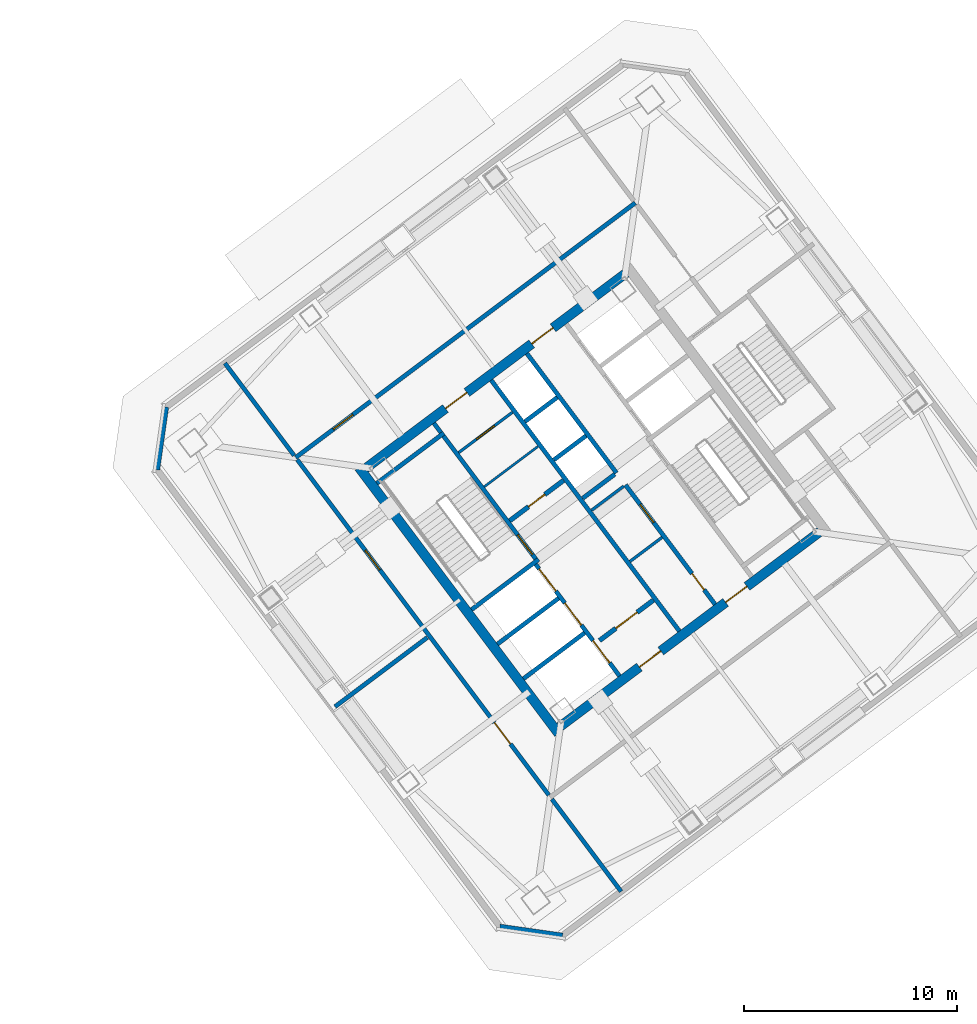
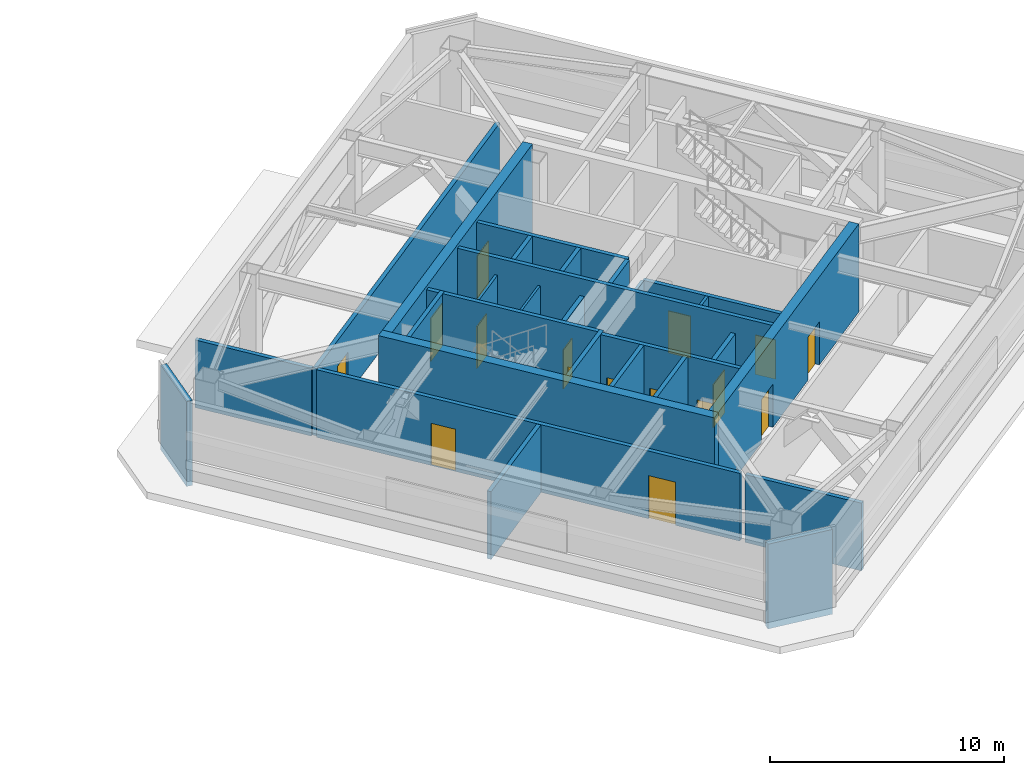
# One storey, part 7 of 15: 28 walls, 16 doors, 16 openings.
"""IFC4 building model written with IfcOpenShell, lengths in metres."""

import ifcopenshell
import ifcopenshell.guid

model = None  # the IFC model being written
_history = None  # IfcOwnerHistory: only IFC2X3 demands one
_inside = {}  # id of a spatial element -> (the spatial element, [elements in it])
_under = {}  # id of a project, library or spatial element -> (it, [spatial elements below it])
_declared = {}  # id of a project -> (the project, [libraries it declares])
_typed = {}  # id of a type object -> (the type object, [elements of that type])
_made_of = {}  # id of a material, layer set ... -> (it, [elements and type objects made of it])


def new_model(schema):
    """Start an empty IFC model of exactly this schema.

    Asked for "IFC4X3", IfcOpenShell would pick the latest addendum, in which some entities
    have other attributes; the version numbers below select the first issue.
    IFC2X3 requires an IfcOwnerHistory on every rooted entity: one is made here for all.
    """
    global model, _history
    if schema == "IFC4X3":
        model = ifcopenshell.file(schema_version=(4, 3, 0, 0))
    else:
        model = ifcopenshell.file(schema=schema)
    _inside.clear()
    _under.clear()
    _declared.clear()
    _typed.clear()
    _made_of.clear()
    _history = None
    if model.schema == "IFC2X3":
        org = make("IfcOrganization", Name="unknown")
        user = make(
            "IfcPersonAndOrganization",
            ThePerson=make("IfcPerson", FamilyName="unknown"),
            TheOrganization=org,
        )
        app = make(
            "IfcApplication",
            ApplicationDeveloper=org,
            Version="unknown",
            ApplicationFullName="unknown",
            ApplicationIdentifier="unknown",
        )
        _history = make(
            "IfcOwnerHistory",
            OwningUser=user,
            OwningApplication=app,
            ChangeAction="ADDED",
            CreationDate=0,
        )
    return model


def make(cls, **values):
    """One entity of the class cls with the attributes given. An attribute that is None is left unset."""
    return model.create_entity(
        cls, **{name: value for name, value in values.items() if value is not None}
    )


def rooted(cls, **values):
    """An entity with a GlobalId (a new one), such as an element, a storey or a relation."""
    return make(cls, GlobalId=ifcopenshell.guid.new(), OwnerHistory=_history, **values)


def si_unit(unit_type, name, prefix=None):
    """IfcSIUnit, for example si_unit("LENGTHUNIT", "METRE", prefix="MILLI")."""
    return make("IfcSIUnit", UnitType=unit_type, Prefix=prefix, Name=name)


def assignment(units):
    """IfcUnitAssignment: the units of a project."""
    return None if units is None else make("IfcUnitAssignment", Units=units)


def point(xyz):
    """IfcCartesianPoint."""
    return None if xyz is None else make("IfcCartesianPoint", Coordinates=xyz)


def direction(xyz):
    """IfcDirection."""
    return None if xyz is None else make("IfcDirection", DirectionRatios=xyz)


def frame(location, z_axis=None, x_axis=None):
    """IfcAxis2Placement3D, a coordinate frame: its origin and axes. An axis left out is left unset."""
    return make(
        "IfcAxis2Placement3D",
        Location=point(location),
        Axis=direction(z_axis),
        RefDirection=direction(x_axis),
    )


def frame_2d(location, x_axis=None):
    """IfcAxis2Placement2D, a coordinate frame in the plane: its origin and x axis."""
    return make(
        "IfcAxis2Placement2D", Location=point(location), RefDirection=direction(x_axis)
    )


def origin():
    """The frame at (0, 0, 0) with its axes left unset."""
    return frame((0.0, 0.0, 0.0))


def place(relative_to, where):
    """IfcLocalPlacement: puts the frame where relative to a parent placement (None: the world)."""
    return make(
        "IfcLocalPlacement", PlacementRelTo=relative_to, RelativePlacement=where
    )


def context(
    kind, dimensions, precision=None, world=None, true_north=None, identifier=None
):
    """IfcGeometricRepresentationContext, for example the 3D "Model" context."""
    return make(
        "IfcGeometricRepresentationContext",
        ContextIdentifier=identifier,
        ContextType=kind,
        CoordinateSpaceDimension=dimensions,
        Precision=precision,
        WorldCoordinateSystem=world,
        TrueNorth=true_north,
    )


def subcontext(parent, identifier, kind, view, scale=None):
    """IfcGeometricRepresentationSubContext, for example "Body" below "Model"."""
    return make(
        "IfcGeometricRepresentationSubContext",
        ContextIdentifier=identifier,
        ContextType=kind,
        ParentContext=parent,
        TargetScale=scale,
        TargetView=view,
    )


def project(units=None, contexts=None):
    """IfcProject with its units and contexts."""
    return rooted(
        "IfcProject",
        Name="project",
        RepresentationContexts=contexts,
        UnitsInContext=assignment(units),
    )


def spatial(cls, under=None, at=None, **own):
    """A site, building, storey or space (cls), placed at a placement, below another one or the project."""
    s = rooted(cls, ObjectPlacement=at, **own)
    if under is not None:
        _under.setdefault(under.id(), (under, []))[1].append(s)
    return s


def profile(cls, at=None, kind="AREA", **sizes):
    """A parametric profile (cls). Its sizes go by their IFC names, for example OverallWidth=200.0."""
    return make(cls, ProfileType=kind, Position=at, **sizes)


def rectangle(**sizes):
    """IfcRectangleProfileDef."""
    return profile("IfcRectangleProfileDef", **sizes)


def extrude(swept, where, along, depth):
    """IfcExtrudedAreaSolid: the profile swept, set in the frame where, extruded along a direction by depth."""
    return make(
        "IfcExtrudedAreaSolid",
        SweptArea=swept,
        Position=where,
        ExtrudedDirection=direction(along),
        Depth=depth,
    )


def shape(context_of_items, identifier, shape_type, items):
    """IfcShapeRepresentation: the items that make up one representation, for example the "Body"."""
    return make(
        "IfcShapeRepresentation",
        ContextOfItems=context_of_items,
        RepresentationIdentifier=identifier,
        RepresentationType=shape_type,
        Items=items,
    )


def material(Name=None, Category=None):
    """IfcMaterial."""
    return make("IfcMaterial", Name=Name, Category=Category)


def layer(
    of_material, thickness, ventilated=None, Name=None, Category=None, Priority=None
):
    """IfcMaterialLayer: one layer of a wall or slab, of a material (None: an air gap)."""
    return make(
        "IfcMaterialLayer",
        Material=of_material,
        LayerThickness=thickness,
        IsVentilated=ventilated,
        Name=Name,
        Category=Category,
        Priority=Priority,
    )


def layer_set(layers, Name=None):
    """IfcMaterialLayerSet."""
    return make("IfcMaterialLayerSet", MaterialLayers=layers, LayerSetName=Name)


def made_of(thing, what):
    """Note that an element or type object is made of a material, layer set ...; save() writes the relation."""
    if what is not None:
        _made_of.setdefault(what.id(), (what, []))[1].append(thing)
    return thing


def type_object(cls, material=None, **own):
    """A type object (cls), such as IfcWallType, which elements share."""
    return made_of(rooted(cls, **own), material)


def element(
    cls,
    number,
    at=None,
    inside=None,
    cuts=None,
    type_object=None,
    material=None,
    context=None,
    identifier="Body",
    shape_type=None,
    held_by="IfcProductDefinitionShape",
    body=None,
    shapes=None,
    **own,
):
    """One element of the class cls, such as IfcWall. Its Tag is "e" and its number.

    at: its placement. inside: the storey or other place that contains it. cuts: it is an
    opening in that element (IfcRelVoidsElement). A single representation is given by context,
    identifier, shape_type and body (its items); several are given by shapes. held_by: the class
    of the entity that holds the representations. save() writes the other relations.
    """
    e = rooted(cls, Tag="e%d" % number, ObjectPlacement=at, **own)
    if body is not None:
        shapes = [shape(context, identifier, shape_type, body)]
    if shapes is not None:
        e.Representation = make(held_by, Representations=shapes)
    if inside is not None:
        _inside.setdefault(inside.id(), (inside, []))[1].append(e)
    if cuts is not None:
        rooted(
            "IfcRelVoidsElement", RelatingBuildingElement=cuts, RelatedOpeningElement=e
        )
    if type_object is not None:
        _typed.setdefault(type_object.id(), (type_object, []))[1].append(e)
    return made_of(e, material)


def fill(opening, filler):
    """IfcRelFillsElement: the door or window that sits in an opening."""
    return rooted(
        "IfcRelFillsElement",
        RelatingOpeningElement=opening,
        RelatedBuildingElement=filler,
    )


def aggregate(whole, parts):
    """IfcRelAggregates: a whole, such as a stair, and the parts it consists of."""
    return rooted("IfcRelAggregates", RelatingObject=whole, RelatedObjects=parts)


def save(model, path):
    """Write the relations noted so far, then the file.

    IfcRelAggregates (storeys below a building ...), IfcRelContainedInSpatialStructure (elements
    in a storey), IfcRelDefinesByType, IfcRelAssociatesMaterial and IfcRelDeclares: one each for
    every whole, place, type object, material and project.
    """
    for whole, parts in _under.values():
        aggregate(whole, parts)
    for where, things in _inside.values():
        rooted(
            "IfcRelContainedInSpatialStructure",
            RelatedElements=things,
            RelatingStructure=where,
        )
    for kind, things in _typed.values():
        rooted("IfcRelDefinesByType", RelatedObjects=things, RelatingType=kind)
    for what, things in _made_of.values():
        rooted("IfcRelAssociatesMaterial", RelatedObjects=things, RelatingMaterial=what)
    for by, libraries in _declared.values():
        rooted("IfcRelDeclares", RelatingContext=by, RelatedDefinitions=libraries)
    model.write(path)


model = new_model("IFC4")

# Units and contexts
model_context = context("Model", 3, precision=1e-05, world=origin(), true_north=direction((0.0, 1.0)))
body_context = subcontext(model_context, "Body", "Model", "MODEL_VIEW")
ifc_project = project(units=[si_unit("LENGTHUNIT", "METRE"), si_unit("AREAUNIT", "SQUARE_METRE"), si_unit("VOLUMEUNIT", "CUBIC_METRE"), si_unit("PLANEANGLEUNIT", "RADIAN"), si_unit("MASSUNIT", "GRAM", prefix="KILO")], contexts=[model_context])

# Site, building, storey
site_placement = place(None, origin())
site = spatial("IfcSite", under=ifc_project, at=site_placement, CompositionType="ELEMENT")
building_placement = place(site_placement, origin())
building = spatial("IfcBuilding", under=site, at=building_placement, Name="Tashvorn Skyway Center", CompositionType="ELEMENT")
storey_placement = place(building_placement, frame((0.0, 0.0, 199.60009765625)))
storey = spatial("IfcBuildingStorey", under=building, at=storey_placement, Name="L54", CompositionType="ELEMENT", Elevation=199.60009765625)

# Wall
ifc_material_1 = material(Name="Concrete C50/60", Category="concrete")
ifc_layer_1 = layer(ifc_material_1, 0.449951171875)
ifc_layer_set_1 = layer_set([ifc_layer_1], Name="Concrete C50/60")
wall_type_1 = type_object("IfcWallType", Name="WALL-CORE-450", PredefinedType="SHEAR", material=ifc_layer_set_1)
wall_1_placement = place(storey_placement, frame((112.39599609375, 21.047119140625, 0.0), z_axis=(0.0, 0.0, 1.0), x_axis=(-0.600005007985, 0.799996243986, 0.0)))
element("IfcWall", 1, at=wall_1_placement, inside=storey, type_object=wall_type_1, Name="Tower 2 L54 West Core Shear Wall", PredefinedType="SHEAR", context=body_context, shape_type="SweptSolid", body=[
    extrude(rectangle(XDim=15.60009765625, YDim=0.449951171875, at=frame_2d((7.800048828125, 0.0))), origin(), (0.0, 0.0, 1.0), 4.599853515625),
])

# Wall, openings, doors
wall_2_placement = place(storey_placement, frame((124.64892578125, 30.51806640625, 0.0), z_axis=(0.0, 0.0, 1.0), x_axis=(-0.8, -0.6, 0.0)))
wall_2 = element("IfcWall", 2, at=wall_2_placement, inside=storey, type_object=wall_type_1, Name="Tower 2 L54 South Core Shear Wall", PredefinedType="SHEAR", context=body_context, shape_type="SweptSolid", body=[
    extrude(rectangle(XDim=15.260009765625, YDim=0.449951171875, at=frame_2d((7.6298828125, 0.0))), origin(), (0.0, 0.0, 1.0), 4.599853515625),
])
opening_1_placement = place(wall_2_placement, frame((9.330078125, 0.0, 0.0)))
opening_1 = element("IfcOpeningElement", 3, at=opening_1_placement, cuts=wall_2, Name="Opening D-FFL-1250", PredefinedType="OPENING", context=body_context, shape_type="SweptSolid", body=[
    extrude(rectangle(XDim=1.25, YDim=2.25, at=frame_2d((0.625, 1.125))), frame((0.0, 0.23486328125, 0.0), z_axis=(0.0, -1.0, 0.0), x_axis=(1.0, 0.0, 0.0)), (0.0, 0.0, 1.0), 0.469970703125),
])
opening_2_placement = place(wall_2_placement, frame((4.280029296875, 0.0, 0.0)))
opening_2 = element("IfcOpeningElement", 4, at=opening_2_placement, cuts=wall_2, Name="Opening D-FFL-1250", PredefinedType="OPENING", context=body_context, shape_type="SweptSolid", body=[
    extrude(rectangle(XDim=1.25, YDim=2.25, at=frame_2d((0.625, 1.125))), frame((0.0, 0.23486328125, 0.0), z_axis=(0.0, -1.0, 0.0), x_axis=(1.0, 0.0, 0.0)), (0.0, 0.0, 1.0), 0.469970703125),
])
ifc_material_2 = material(Name="Hollow galvanized steel fire door assembly", Category="steel")
door_type_1 = type_object("IfcDoorType", Name="DOOR-FFL-1250", OperationType="NOTDEFINED", PredefinedType="DOOR", material=ifc_material_2)
door_1_placement = place(opening_1_placement, origin())
door_1 = element("IfcDoor", 5, at=door_1_placement, inside=storey, type_object=door_type_1, Name="Tower 2 L54 Core South Firefighting Exit Door", OperationType="SINGLE_SWING_LEFT", OverallHeight=2.25, OverallWidth=1.25, PredefinedType="DOOR", context=body_context, shape_type="SweptSolid", body=[
    extrude(rectangle(XDim=1.25, YDim=2.25, at=frame_2d((0.625, 1.125))), frame((0.0, 0.02490234375, 0.0), z_axis=(0.0, -1.0, 0.0), x_axis=(1.0, 0.0, 0.0)), (0.0, 0.0, 1.0), 0.050048828125),
])
fill(opening_1, door_1)
door_2_placement = place(opening_2_placement, origin())
door_2 = element("IfcDoor", 6, at=door_2_placement, inside=storey, type_object=door_type_1, Name="Tower 2 L54 Core South Lift Lobby Door", OperationType="SINGLE_SWING_RIGHT", OverallHeight=2.25, OverallWidth=1.25, PredefinedType="DOOR", context=body_context, shape_type="SweptSolid", body=[
    extrude(rectangle(XDim=1.25, YDim=2.25, at=frame_2d((0.625, 1.125))), frame((0.0, 0.02490234375, 0.0), z_axis=(0.0, -1.0, 0.0), x_axis=(1.0, 0.0, 0.0)), (0.0, 0.0, 1.0), 0.050048828125),
])
fill(opening_2, door_2)

wall_3_placement = place(storey_placement, frame((103.35107421875, 33.48193359375, 0.0), z_axis=(0.0, 0.0, 1.0), x_axis=(0.8, 0.6, 0.0)))
wall_3 = element("IfcWall", 7, at=wall_3_placement, inside=storey, type_object=wall_type_1, Name="Tower 2 L54 North Core Shear Wall", PredefinedType="SHEAR", context=body_context, shape_type="SweptSolid", body=[
    extrude(rectangle(XDim=15.260009765625, YDim=0.449951171875, at=frame_2d((7.6298828125, 0.0))), origin(), (0.0, 0.0, 1.0), 4.599853515625),
])
opening_3_placement = place(wall_3_placement, frame((4.679931640625, 0.0, 0.0)))
opening_3 = element("IfcOpeningElement", 8, at=opening_3_placement, cuts=wall_3, Name="Opening D-FFL-1250", PredefinedType="OPENING", context=body_context, shape_type="SweptSolid", body=[
    extrude(rectangle(XDim=1.25, YDim=2.25, at=frame_2d((0.625, 1.125))), frame((0.0, 0.23486328125, 0.0), z_axis=(0.0, -1.0, 0.0), x_axis=(1.0, 0.0, 0.0)), (0.0, 0.0, 1.0), 0.469970703125),
])
opening_4_placement = place(wall_3_placement, frame((9.72998046875, 0.0, 0.0)))
opening_4 = element("IfcOpeningElement", 9, at=opening_4_placement, cuts=wall_3, Name="Opening D-FFL-1250", PredefinedType="OPENING", context=body_context, shape_type="SweptSolid", body=[
    extrude(rectangle(XDim=1.25, YDim=2.25, at=frame_2d((0.625, 1.125))), frame((0.0, 0.23486328125, 0.0), z_axis=(0.0, -1.0, 0.0), x_axis=(1.0, 0.0, 0.0)), (0.0, 0.0, 1.0), 0.469970703125),
])
door_3_placement = place(opening_3_placement, origin())
door_3 = element("IfcDoor", 10, at=door_3_placement, inside=storey, type_object=door_type_1, Name="Tower 2 L54 Core North Service Lobby Door", OperationType="SINGLE_SWING_LEFT", OverallHeight=2.25, OverallWidth=1.25, PredefinedType="DOOR", context=body_context, shape_type="SweptSolid", body=[
    extrude(rectangle(XDim=1.25, YDim=2.25, at=frame_2d((0.625, 1.125))), frame((0.0, 0.02490234375, 0.0), z_axis=(0.0, -1.0, 0.0), x_axis=(1.0, 0.0, 0.0)), (0.0, 0.0, 1.0), 0.050048828125),
])
fill(opening_3, door_3)
door_4_placement = place(opening_4_placement, origin())
door_4 = element("IfcDoor", 11, at=door_4_placement, inside=storey, type_object=door_type_1, Name="Tower 2 L54 Core North Lift Lobby Door", OperationType="SINGLE_SWING_RIGHT", OverallHeight=2.25, OverallWidth=1.25, PredefinedType="DOOR", context=body_context, shape_type="SweptSolid", body=[
    extrude(rectangle(XDim=1.25, YDim=2.25, at=frame_2d((0.625, 1.125))), frame((0.0, 0.02490234375, 0.0), z_axis=(0.0, -1.0, 0.0), x_axis=(1.0, 0.0, 0.0)), (0.0, 0.0, 1.0), 0.050048828125),
])
fill(opening_4, door_4)

# Walls
ifc_material_3 = material(Name="Precast concrete C40/50", Category="concrete")
ifc_layer_2 = layer(ifc_material_3, 0.280029296875)
ifc_layer_set_2 = layer_set([ifc_layer_2], Name="Precast concrete C40/50")
wall_type_2 = type_object("IfcWallType", Name="WALL-EXT-280", PredefinedType="SOLIDWALL", material=ifc_layer_set_2)
for number, where, z_axis, x_axis, name in (
    (12, (112.580078125, 11.56005859375, 0.0), (0.0, 0.0, 1.0), (-0.989954425158, 0.14138683146, 0.0), "Tower 2 L54 SW Precast Chamfer Wall"),
    (13, (93.56005859375, 33.419921875, 0.0), (0.0, 0.0, 1.0), (0.14138683146, 0.989954425158, 0.0), "Tower 2 L54 NW Precast Chamfer Wall"),
):
    element("IfcWall", number, at=place(storey_placement, frame(where, z_axis=z_axis, x_axis=x_axis)), inside=storey, type_object=wall_type_2, Name=name, PredefinedType="SOLIDWALL", context=body_context, shape_type="SweptSolid", body=[
        extrude(rectangle(XDim=2.969970703125, YDim=0.280029296875, at=frame_2d((1.48486328125, 0.0))), origin(), (0.0, 0.0, 1.0), 4.419921875),
    ])

# Wall, opening, door
ifc_material_4 = material(Name="Concrete C40/50", Category="concrete")
ifc_layer_3 = layer(ifc_material_4, 0.219970703125)
ifc_layer_set_3 = layer_set([ifc_layer_3], Name="Concrete C40/50")
wall_type_3 = type_object("IfcWallType", Name="WALL-FFL-220", PredefinedType="SOLIDWALL", material=ifc_layer_set_3)
wall_4_placement = place(storey_placement, frame((110.10400390625, 31.028076171875, 0.0), z_axis=(0.0, 0.0, 1.0), x_axis=(0.800018601094, 0.59997519774, 0.0)))
wall_4 = element("IfcWall", 14, at=wall_4_placement, inside=storey, type_object=wall_type_3, Name="Tower 2 L54 Firefighting Lobby North Wall", PredefinedType="SOLIDWALL", context=body_context, shape_type="SweptSolid", body=[
    extrude(rectangle(XDim=3.14990234375, YDim=0.219970703125, at=frame_2d((1.574951171875, 0.0))), origin(), (0.0, 0.0, 1.0), 3.531005859375),
])
opening_5_placement = place(wall_4_placement, frame((1.10009765625, 0.0, 0.0)))
opening_5 = element("IfcOpeningElement", 15, at=opening_5_placement, cuts=wall_4, Name="Opening D-RT-950", PredefinedType="OPENING", context=body_context, shape_type="SweptSolid", body=[
    extrude(rectangle(XDim=0.949951171875, YDim=2.050048828125, at=frame_2d((0.47509765625, 1.02490234375))), frame((0.0, 0.119873046875, 0.0), z_axis=(0.0, -1.0, 0.0), x_axis=(1.0, 0.0, 0.0)), (0.0, 0.0, 1.0), 0.239990234375),
])
door_type_2 = type_object("IfcDoorType", Name="DOOR-RATED-950", OperationType="NOTDEFINED", PredefinedType="DOOR", material=ifc_material_2)
door_5_placement = place(opening_5_placement, origin())
door_5 = element("IfcDoor", 16, at=door_5_placement, inside=storey, type_object=door_type_2, Name="Tower 2 L54 Core Linen Store Door", OperationType="SINGLE_SWING_LEFT", OverallHeight=2.050048828125, OverallWidth=0.949951171875, PredefinedType="DOOR", context=body_context, shape_type="SweptSolid", body=[
    extrude(rectangle(XDim=0.949951171875, YDim=2.050048828125, at=frame_2d((0.47509765625, 1.02490234375))), frame((0.0, 0.02490234375, 0.0), z_axis=(0.0, -1.0, 0.0), x_axis=(1.0, 0.0, 0.0)), (0.0, 0.0, 1.0), 0.050048828125),
])
fill(opening_5, door_5)

wall_5_placement = place(storey_placement, frame((114.31591796875, 25.412109375, 0.0), z_axis=(0.0, 0.0, 1.0), x_axis=(0.800018601094, 0.59997519774, 0.0)))
wall_5 = element("IfcWall", 17, at=wall_5_placement, inside=storey, type_object=wall_type_3, Name="Tower 2 L54 Firefighting Lobby South Wall", PredefinedType="SOLIDWALL", context=body_context, shape_type="SweptSolid", body=[
    extrude(rectangle(XDim=3.14990234375, YDim=0.219970703125, at=frame_2d((1.574951171875, 0.0))), origin(), (0.0, 0.0, 1.0), 3.531005859375),
])
opening_6_placement = place(wall_5_placement, frame((0.949951171875, 0.0, 0.0)))
opening_6 = element("IfcOpeningElement", 18, at=opening_6_placement, cuts=wall_5, Name="Opening D-FFL-1250", PredefinedType="OPENING", context=body_context, shape_type="SweptSolid", body=[
    extrude(rectangle(XDim=1.25, YDim=2.25, at=frame_2d((0.625, 1.125))), frame((0.0, 0.119873046875, 0.0), z_axis=(0.0, -1.0, 0.0), x_axis=(1.0, 0.0, 0.0)), (0.0, 0.0, 1.0), 0.239990234375),
])
door_6_placement = place(opening_6_placement, origin())
door_6 = element("IfcDoor", 19, at=door_6_placement, inside=storey, type_object=door_type_1, Name="Tower 2 L54 Firefighting Lobby Egress Door", OperationType="SINGLE_SWING_LEFT", OverallHeight=2.25, OverallWidth=1.25, PredefinedType="DOOR", context=body_context, shape_type="SweptSolid", body=[
    extrude(rectangle(XDim=1.25, YDim=2.25, at=frame_2d((0.625, 1.125))), frame((0.0, 0.02490234375, 0.0), z_axis=(0.0, -1.0, 0.0), x_axis=(1.0, 0.0, 0.0)), (0.0, 0.0, 1.0), 0.050048828125),
])
fill(opening_6, door_6)

# Wall
ifc_material_5 = material(Name="Gypsum board on cold-formed steel stud framing", Category="steel")
ifc_layer_4 = layer(ifc_material_5, 0.110107421875)
ifc_layer_set_4 = layer_set([ifc_layer_4], Name="Gypsum board on cold-formed steel stud framing")
wall_type_4 = type_object("IfcWallType", Name="WALL-RATED-110", PredefinedType="PARTITIONING", material=ifc_layer_set_4)
wall_6_placement = place(storey_placement, frame((108.909912109375, 32.6201171875, 0.0), z_axis=(0.0, 0.0, 1.0), x_axis=(0.800018601094, 0.59997519774, 0.0)))
element("IfcWall", 20, at=wall_6_placement, inside=storey, type_object=wall_type_4, Name="Tower 2 L54 Core Transverse Wall", PredefinedType="PARTITIONING", context=body_context, shape_type="SweptSolid", body=[
    extrude(rectangle(XDim=3.14990234375, YDim=0.110107421875, at=frame_2d((1.574951171875, 0.0))), origin(), (0.0, 0.0, 1.0), 3.531005859375),
])

# Wall, opening, door
ifc_layer_5 = layer(ifc_material_5, 0.135009765625)
ifc_layer_set_5 = layer_set([ifc_layer_5], Name="Gypsum board on cold-formed steel stud framing")
wall_type_5 = type_object("IfcWallType", Name="WALL-RATED-135", PredefinedType="PARTITIONING", material=ifc_layer_set_5)
wall_7_placement = place(storey_placement, frame((107.7099609375, 34.219970703125, 0.0), z_axis=(0.0, 0.0, 1.0), x_axis=(0.799981399002, 0.60002480053, 0.0)))
wall_7 = element("IfcWall", 21, at=wall_7_placement, inside=storey, type_object=wall_type_5, Name="Tower 2 L54 Core Service Lobby Wall", PredefinedType="PARTITIONING", context=body_context, shape_type="SweptSolid", body=[
    extrude(rectangle(XDim=3.150146484375, YDim=0.135009765625, at=frame_2d((1.5751953125, 0.0))), origin(), (0.0, 0.0, 1.0), 3.531005859375),
])
opening_7_placement = place(wall_7_placement, frame((1.050048828125, 0.0, 0.0)))
opening_7 = element("IfcOpeningElement", 22, at=opening_7_placement, cuts=wall_7, Name="Opening D-RT-1050", PredefinedType="OPENING", context=body_context, shape_type="SweptSolid", body=[
    extrude(rectangle(XDim=1.050048828125, YDim=2.199951171875, at=frame_2d((0.52490234375, 1.10009765625))), frame((0.0, 0.077392578125, 0.0), z_axis=(0.0, -1.0, 0.0), x_axis=(1.0, 0.0, 0.0)), (0.0, 0.0, 1.0), 0.155029296875),
])
door_type_3 = type_object("IfcDoorType", Name="DOOR-RATED-1050", OperationType="NOTDEFINED", PredefinedType="DOOR", material=ifc_material_2)
door_7_placement = place(opening_7_placement, origin())
door_7 = element("IfcDoor", 23, at=door_7_placement, inside=storey, type_object=door_type_3, Name="Tower 2 L54 Core Accessible WC Door", OperationType="SINGLE_SWING_RIGHT", OverallHeight=2.199951171875, OverallWidth=1.050048828125, PredefinedType="DOOR", context=body_context, shape_type="SweptSolid", body=[
    extrude(rectangle(XDim=1.050048828125, YDim=2.199951171875, at=frame_2d((0.52490234375, 1.10009765625))), frame((0.0, 0.02490234375, 0.0), z_axis=(0.0, -1.0, 0.0), x_axis=(1.0, 0.0, 0.0)), (0.0, 0.0, 1.0), 0.050048828125),
])
fill(opening_7, door_7)

# Walls
for number, where, z_axis, x_axis, name in (
    (24, (113.946044921875, 31.52197265625, 0.0), (0.0, 0.0, 1.0), (0.8, 0.6, 0.0), "Tower 2 L54 Core Room Partition"),
    (25, (115.74609375, 29.1220703125, 0.0), (0.0, 0.0, 1.0), (0.8, 0.6, 0.0), "Tower 2 L54 Freed Core Partition"),
):
    element("IfcWall", number, at=place(storey_placement, frame(where, z_axis=z_axis, x_axis=x_axis)), inside=storey, type_object=wall_type_5, Name=name, PredefinedType="PARTITIONING", context=body_context, shape_type="SweptSolid", body=[
        extrude(rectangle(XDim=1.8798828125, YDim=0.135009765625, at=frame_2d((0.93994140625, 0.0))), origin(), (0.0, 0.0, 1.0), 3.531005859375),
    ])
ifc_layer_6 = layer(ifc_material_4, 0.199951171875)
ifc_layer_set_6 = layer_set([ifc_layer_6], Name="Concrete C40/50")
wall_type_6 = type_object("IfcWallType", Name="WALL-SHAFT-200", PredefinedType="SOLIDWALL", material=ifc_layer_set_6)
for number, where, z_axis, x_axis, name in (
    (26, (110.74609375, 23.6220703125, 0.0), (0.0, 0.0, 1.0), (0.800008183455, 0.599989088572, 0.0), "Tower 2 L54 FSAE Shaft Divider"),
    (27, (109.528076171875, 25.24609375, 0.0), (0.0, 0.0, 1.0), (0.800008183455, 0.599989088572, 0.0), "Tower 2 L54 FSAE Shaft Divider"),
):
    element("IfcWall", number, at=place(storey_placement, frame(where, z_axis=z_axis, x_axis=x_axis)), inside=storey, type_object=wall_type_6, Name=name, PredefinedType="SOLIDWALL", context=body_context, shape_type="SweptSolid", body=[
        extrude(rectangle(XDim=3.580078125, YDim=0.199951171875, at=frame_2d((1.7900390625, 0.0))), origin(), (0.0, 0.0, 1.0), 4.419921875),
    ])

# Wall, openings, doors
wall_8_placement = place(storey_placement, frame((119.72998046875, 27.110107421875, 0.0), z_axis=(0.0, 0.0, 1.0), x_axis=(-0.600005580459, 0.799995814625, 0.0)))
wall_8 = element("IfcWall", 28, at=wall_8_placement, inside=storey, type_object=wall_type_6, Name="Tower 2 L54 Low-Rise Core Wall", PredefinedType="SOLIDWALL", context=body_context, shape_type="SweptSolid", body=[
    extrude(rectangle(XDim=6.999755859375, YDim=0.199951171875, at=frame_2d((3.5, 0.0))), origin(), (0.0, 0.0, 1.0), 3.531005859375),
])
opening_8_placement = place(wall_8_placement, frame((0.85009765625, 0.0, 0.0)))
opening_8 = element("IfcOpeningElement", 29, at=opening_8_placement, cuts=wall_8, Name="Opening D-RT-950", PredefinedType="OPENING", context=body_context, shape_type="SweptSolid", body=[
    extrude(rectangle(XDim=0.949951171875, YDim=2.050048828125, at=frame_2d((0.47509765625, 1.02490234375))), frame((0.0, 0.10986328125, 0.0), z_axis=(0.0, -1.0, 0.0), x_axis=(1.0, 0.0, 0.0)), (0.0, 0.0, 1.0), 0.219970703125),
])
opening_9_placement = place(wall_8_placement, frame((4.800048828125, 0.0, 0.0)))
opening_9 = element("IfcOpeningElement", 30, at=opening_9_placement, cuts=wall_8, Name="Opening D-RT-1050", PredefinedType="OPENING", context=body_context, shape_type="SweptSolid", body=[
    extrude(rectangle(XDim=1.050048828125, YDim=2.199951171875, at=frame_2d((0.52490234375, 1.10009765625))), frame((0.0, 0.10986328125, 0.0), z_axis=(0.0, -1.0, 0.0), x_axis=(1.0, 0.0, 0.0)), (0.0, 0.0, 1.0), 0.219970703125),
])
door_8_placement = place(opening_9_placement, origin())
door_8 = element("IfcDoor", 31, at=door_8_placement, inside=storey, type_object=door_type_3, Name="Tower 2 L54 Freed Core Room Door", OperationType="SINGLE_SWING_RIGHT", OverallHeight=2.199951171875, OverallWidth=1.050048828125, PredefinedType="DOOR", context=body_context, shape_type="SweptSolid", body=[
    extrude(rectangle(XDim=1.050048828125, YDim=2.199951171875, at=frame_2d((0.52490234375, 1.10009765625))), frame((0.0, 0.02490234375, 0.0), z_axis=(0.0, -1.0, 0.0), x_axis=(1.0, 0.0, 0.0)), (0.0, 0.0, 1.0), 0.050048828125),
])
fill(opening_9, door_8)
door_9_placement = place(opening_8_placement, origin())
door_9 = element("IfcDoor", 32, at=door_9_placement, inside=storey, type_object=door_type_2, Name="Tower 2 L54 Core Print Room Door", OperationType="SINGLE_SWING_LEFT", OverallHeight=2.050048828125, OverallWidth=0.949951171875, PredefinedType="DOOR", context=body_context, shape_type="SweptSolid", body=[
    extrude(rectangle(XDim=0.949951171875, YDim=2.050048828125, at=frame_2d((0.47509765625, 1.02490234375))), frame((0.0, 0.02490234375, 0.0), z_axis=(0.0, -1.0, 0.0), x_axis=(1.0, 0.0, 0.0)), (0.0, 0.0, 1.0), 0.050048828125),
])
fill(opening_8, door_9)

# Walls
wall_9_placement = place(storey_placement, frame((115.110107421875, 33.27001953125, 0.0), z_axis=(0.0, 0.0, 1.0), x_axis=(-0.600011160345, 0.79999162962, 0.0)))
element("IfcWall", 33, at=wall_9_placement, inside=storey, type_object=wall_type_6, Name="Tower 2 L54 Mid-Rise Core Wall", PredefinedType="SOLIDWALL", context=body_context, shape_type="SweptSolid", body=[
    extrude(rectangle(XDim=7.000244140625, YDim=0.199951171875, at=frame_2d((3.5, 0.0))), origin(), (0.0, 0.0, 1.0), 4.419921875),
])
wall_10_placement = place(storey_placement, frame((113.52587890625, 32.08203125, 0.0), z_axis=(0.0, 0.0, 1.0), x_axis=(0.800046745961, 0.599937666993, 0.0)))
element("IfcWall", 34, at=wall_10_placement, inside=storey, type_object=wall_type_6, Name="Tower 2 L54 Mid-Rise Shaft Divider", PredefinedType="SOLIDWALL", context=body_context, shape_type="SweptSolid", body=[
    extrude(rectangle(XDim=1.880126953125, YDim=0.199951171875, at=frame_2d((0.93994140625, 0.0))), origin(), (0.0, 0.0, 1.0), 4.419921875),
])
wall_11_placement = place(storey_placement, frame((112.176025390625, 33.882080078125, 0.0), z_axis=(0.0, 0.0, 1.0), x_axis=(0.8, 0.6, 0.0)))
element("IfcWall", 35, at=wall_11_placement, inside=storey, type_object=wall_type_6, Name="Tower 2 L54 Mid-Rise Shaft Divider", PredefinedType="SOLIDWALL", context=body_context, shape_type="SweptSolid", body=[
    extrude(rectangle(XDim=1.8798828125, YDim=0.199951171875, at=frame_2d((0.93994140625, 0.0))), origin(), (0.0, 0.0, 1.0), 4.419921875),
])
wall_12_placement = place(storey_placement, frame((110.825927734375, 35.681884765625, 0.0), z_axis=(0.0, 0.0, 1.0), x_axis=(0.799984418148, 0.600020775241, 0.0)))
element("IfcWall", 36, at=wall_12_placement, inside=storey, type_object=wall_type_6, Name="Tower 2 L54 Mid-Rise Shaft Divider", PredefinedType="SOLIDWALL", context=body_context, shape_type="SweptSolid", body=[
    extrude(rectangle(XDim=1.880126953125, YDim=0.199951171875, at=frame_2d((0.93994140625, 0.0))), origin(), (0.0, 0.0, 1.0), 4.419921875),
])

# Wall, opening, door
wall_13_placement = place(storey_placement, frame((100.070068359375, 33.989990234375, 0.0), z_axis=(0.0, 0.0, 1.0), x_axis=(0.8, 0.6, 0.0)))
wall_13 = element("IfcWall", 37, at=wall_13_placement, inside=storey, type_object=wall_type_6, Name="Tower 2 L54 Plant Corridor North Wall", PredefinedType="SOLIDWALL", context=body_context, shape_type="SweptSolid", body=[
    extrude(rectangle(XDim=19.89990234375, YDim=0.199951171875, at=frame_2d((9.949951171875, 0.0))), origin(), (0.0, 0.0, 1.0), 3.531005859375),
])
opening_10_placement = place(wall_13_placement, frame((2.199951171875, 0.0, 0.0)))
opening_10 = element("IfcOpeningElement", 38, at=opening_10_placement, cuts=wall_13, Name="Opening D-ST-1150", PredefinedType="OPENING", context=body_context, shape_type="SweptSolid", body=[
    extrude(rectangle(XDim=1.14990234375, YDim=2.199951171875, at=frame_2d((0.574951171875, 1.10009765625))), frame((0.0, 0.10986328125, 0.0), z_axis=(0.0, -1.0, 0.0), x_axis=(1.0, 0.0, 0.0)), (0.0, 0.0, 1.0), 0.219970703125),
])
door_type_4 = type_object("IfcDoorType", Name="DOOR-STAIR-1150", OperationType="NOTDEFINED", PredefinedType="DOOR", material=ifc_material_2)
door_10_placement = place(opening_10_placement, origin())
door_10 = element("IfcDoor", 39, at=door_10_placement, inside=storey, type_object=door_type_4, Name="Tower 2 L54 Chiller Plant Door", OperationType="SINGLE_SWING_RIGHT", OverallHeight=2.199951171875, OverallWidth=1.14990234375, PredefinedType="DOOR", context=body_context, shape_type="SweptSolid", body=[
    extrude(rectangle(XDim=1.14990234375, YDim=2.199951171875, at=frame_2d((0.574951171875, 1.10009765625))), frame((0.0, 0.02490234375, 0.0), z_axis=(0.0, -1.0, 0.0), x_axis=(1.0, 0.0, 0.0)), (0.0, 0.0, 1.0), 0.050048828125),
])
fill(opening_10, door_10)

# Wall, openings, doors
wall_14_placement = place(storey_placement, frame((111.93798828125, 18.166015625, 0.0), z_axis=(0.0, 0.0, 1.0), x_axis=(-0.59999602618, 0.80000298035, 0.0)))
wall_14 = element("IfcWall", 40, at=wall_14_placement, inside=storey, type_object=wall_type_6, Name="Tower 2 L54 Plant Corridor West Wall", PredefinedType="SOLIDWALL", context=body_context, shape_type="SweptSolid", body=[
    extrude(rectangle(XDim=19.659912109375, YDim=0.199951171875, at=frame_2d((9.830078125, 0.0))), origin(), (0.0, 0.0, 1.0), 3.531005859375),
])
opening_11_placement = place(wall_14_placement, frame((3.0, 0.0, 0.0)))
opening_11 = element("IfcOpeningElement", 41, at=opening_11_placement, cuts=wall_14, Name="Opening D-FFL-1250", PredefinedType="OPENING", context=body_context, shape_type="SweptSolid", body=[
    extrude(rectangle(XDim=1.25, YDim=2.25, at=frame_2d((0.625, 1.125))), frame((0.0, 0.10986328125, 0.0), z_axis=(0.0, -1.0, 0.0), x_axis=(1.0, 0.0, 0.0)), (0.0, 0.0, 1.0), 0.219970703125),
])
opening_12_placement = place(wall_14_placement, frame((13.199951171875, 0.0, 0.0)))
opening_12 = element("IfcOpeningElement", 42, at=opening_12_placement, cuts=wall_14, Name="Opening D-ST-1150", PredefinedType="OPENING", context=body_context, shape_type="SweptSolid", body=[
    extrude(rectangle(XDim=1.14990234375, YDim=2.199951171875, at=frame_2d((0.574951171875, 1.10009765625))), frame((0.0, 0.10986328125, 0.0), z_axis=(0.0, -1.0, 0.0), x_axis=(1.0, 0.0, 0.0)), (0.0, 0.0, 1.0), 0.219970703125),
])
door_11_placement = place(opening_11_placement, origin())
door_11 = element("IfcDoor", 43, at=door_11_placement, inside=storey, type_object=door_type_1, Name="Tower 2 L54 West Refuge Area Door", OperationType="SINGLE_SWING_RIGHT", OverallHeight=2.25, OverallWidth=1.25, PredefinedType="DOOR", context=body_context, shape_type="SweptSolid", body=[
    extrude(rectangle(XDim=1.25, YDim=2.25, at=frame_2d((0.625, 1.125))), frame((0.0, 0.02490234375, 0.0), z_axis=(0.0, -1.0, 0.0), x_axis=(1.0, 0.0, 0.0)), (0.0, 0.0, 1.0), 0.050048828125),
])
fill(opening_11, door_11)
door_12_placement = place(opening_12_placement, origin())
door_12 = element("IfcDoor", 44, at=door_12_placement, inside=storey, type_object=door_type_4, Name="Tower 2 L54 Pump Plant Door", OperationType="SINGLE_SWING_LEFT", OverallHeight=2.199951171875, OverallWidth=1.14990234375, PredefinedType="DOOR", context=body_context, shape_type="SweptSolid", body=[
    extrude(rectangle(XDim=1.14990234375, YDim=2.199951171875, at=frame_2d((0.574951171875, 1.10009765625))), frame((0.0, 0.02490234375, 0.0), z_axis=(0.0, -1.0, 0.0), x_axis=(1.0, 0.0, 0.0)), (0.0, 0.0, 1.0), 0.050048828125),
])
fill(opening_12, door_12)

# Walls
wall_15_placement = place(storey_placement, frame((99.998046875, 34.0859375, 0.0), z_axis=(0.0, 0.0, 1.0), x_axis=(-0.6, 0.8, 0.0)))
element("IfcWall", 45, at=wall_15_placement, inside=storey, type_object=wall_type_6, Name="Tower 2 L54 Plant Radial NW", PredefinedType="SOLIDWALL", context=body_context, shape_type="SweptSolid", body=[
    extrude(rectangle(XDim=5.41015625, YDim=0.199951171875, at=frame_2d((2.705078125, 0.0))), origin(), (0.0, 0.0, 1.0), 3.531005859375),
])
for number, where, z_axis, x_axis, name in (
    (46, (112.08203125, 17.97412109375, 0.0), (0.0, 0.0, 1.0), (0.599971117961, -0.800021660715, 0.0), "Tower 2 L54 Plant Radial SW"),
    (47, (101.916015625, 22.31201171875, 0.0), (0.0, 0.0, 1.0), (0.799983753633, 0.600021661212, 0.0), "Tower 2 L54 Refuge West Fire Wall"),
):
    element("IfcWall", number, at=place(storey_placement, frame(where, z_axis=z_axis, x_axis=x_axis)), inside=storey, type_object=wall_type_6, Name=name, PredefinedType="SOLIDWALL", context=body_context, shape_type="SweptSolid", body=[
        extrude(rectangle(XDim=5.409912109375, YDim=0.199951171875, at=frame_2d((2.705078125, 0.0))), origin(), (0.0, 0.0, 1.0), 3.531005859375),
    ])

# Wall, opening, door
ifc_layer_7 = layer(ifc_material_4, 0.199951171875)
ifc_layer_set_7 = layer_set([ifc_layer_7], Name="Concrete C40/50")
wall_type_7 = type_object("IfcWallType", Name="WALL-STSHF-200", PredefinedType="SHEAR", material=ifc_layer_set_7)
wall_16_placement = place(storey_placement, frame((111.43994140625, 29.080078125, 0.0), z_axis=(0.0, 0.0, 1.0), x_axis=(-0.59999041401, 0.800007189403, 0.0)))
wall_16 = element("IfcWall", 48, at=wall_16_placement, inside=storey, type_object=wall_type_7, Name="Tower 2 L54 Stair 1 Enclosure Wall", PredefinedType="SHEAR", context=body_context, shape_type="SweptSolid", body=[
    extrude(rectangle(XDim=8.14990234375, YDim=0.199951171875, at=frame_2d((4.074951171875, 0.0))), origin(), (0.0, 0.0, 1.0), 4.419921875),
])
opening_13_placement = place(wall_16_placement, frame((0.449951171875, 0.0, 0.0)))
opening_13 = element("IfcOpeningElement", 49, at=opening_13_placement, cuts=wall_16, Name="Opening D-ST-1150", PredefinedType="OPENING", context=body_context, shape_type="SweptSolid", body=[
    extrude(rectangle(XDim=1.14990234375, YDim=2.199951171875, at=frame_2d((0.574951171875, 1.10009765625))), frame((0.0, 0.10986328125, 0.0), z_axis=(0.0, -1.0, 0.0), x_axis=(1.0, 0.0, 0.0)), (0.0, 0.0, 1.0), 0.219970703125),
])
door_13_placement = place(opening_13_placement, origin())
door_13 = element("IfcDoor", 50, at=door_13_placement, inside=storey, type_object=door_type_4, Name="Tower 2 L54 Exit Stair 1 Door", OperationType="SINGLE_SWING_RIGHT", OverallHeight=2.199951171875, OverallWidth=1.14990234375, PredefinedType="DOOR", context=body_context, shape_type="SweptSolid", body=[
    extrude(rectangle(XDim=1.14990234375, YDim=2.199951171875, at=frame_2d((0.574951171875, 1.10009765625))), frame((0.0, 0.02490234375, 0.0), z_axis=(0.0, -1.0, 0.0), x_axis=(1.0, 0.0, 0.0)), (0.0, 0.0, 1.0), 0.050048828125),
])
fill(opening_13, door_13)

# Walls
for number, where, z_axis, x_axis, name in (
    (51, (108.31591796875, 26.862060546875, 0.0), (0.0, 0.0, 1.0), (0.800014909178, 0.599980120581, 0.0), "Tower 2 L54 Stair 1 South Wall"),
    (52, (103.8759765625, 32.781982421875, 0.0), (0.0, 0.0, 1.0), (0.800014909178, 0.599980120581, 0.0), "Tower 2 L54 Stair 1 North Wall"),
):
    element("IfcWall", number, at=place(storey_placement, frame(where, z_axis=z_axis, x_axis=x_axis)), inside=storey, type_object=wall_type_7, Name=name, PredefinedType="SHEAR", context=body_context, shape_type="SweptSolid", body=[
        extrude(rectangle(XDim=3.929931640625, YDim=0.199951171875, at=frame_2d((1.96484375, 0.0))), origin(), (0.0, 0.0, 1.0), 4.419921875),
    ])
wall_17_placement = place(storey_placement, frame((118.05810546875, 25.85595703125, 0.0), z_axis=(0.0, 0.0, 1.0), x_axis=(-0.600002657301, 0.799998007018, 0.0)))
element("IfcWall", 53, at=wall_17_placement, inside=storey, type_object=wall_type_7, Name="Tower 2 L54 Firefighting Lobby East Smoke Barrier", PredefinedType="SHEAR", context=body_context, shape_type="SweptSolid", body=[
    extrude(rectangle(XDim=14.699951171875, YDim=0.199951171875, at=frame_2d((7.35009765625, 0.0))), origin(), (0.0, 0.0, 1.0), 4.419921875),
])

# Wall, openings, doors
wall_18_placement = place(storey_placement, frame((115.25, 23.75, 0.0), z_axis=(0.0, 0.0, 1.0), x_axis=(-0.599994036198, 0.800004472816, 0.0)))
wall_18 = element("IfcWall", 54, at=wall_18_placement, inside=storey, type_object=wall_type_7, Name="Tower 2 L54 FSAE and Goods Shaft Front Wall", PredefinedType="SHEAR", context=body_context, shape_type="SweptSolid", body=[
    extrude(rectangle(XDim=6.550048828125, YDim=0.199951171875, at=frame_2d((3.27490234375, 0.0))), origin(), (0.0, 0.0, 1.0), 4.419921875),
])
opening_14_placement = place(wall_18_placement, frame((4.97509765625, 0.0, 0.0)))
opening_14 = element("IfcOpeningElement", 55, at=opening_14_placement, cuts=wall_18, Name="Opening LD-FF-T2-1-L54", PredefinedType="OPENING", context=body_context, shape_type="SweptSolid", body=[
    extrude(rectangle(XDim=1.300048828125, YDim=2.25, at=frame_2d((0.64990234375, 1.125))), frame((0.0, 0.10986328125, 0.0), z_axis=(0.0, -1.0, 0.0), x_axis=(1.0, 0.0, 0.0)), (0.0, 0.0, 1.0), 0.219970703125),
])
opening_15_placement = place(wall_18_placement, frame((2.97509765625, 0.0, 0.0)))
opening_15 = element("IfcOpeningElement", 56, at=opening_15_placement, cuts=wall_18, Name="Opening LD-FF-T2-2-L54", PredefinedType="OPENING", context=body_context, shape_type="SweptSolid", body=[
    extrude(rectangle(XDim=1.300048828125, YDim=2.25, at=frame_2d((0.64990234375, 1.125))), frame((0.0, 0.10986328125, 0.0), z_axis=(0.0, -1.0, 0.0), x_axis=(1.0, 0.0, 0.0)), (0.0, 0.0, 1.0), 0.219970703125),
])
opening_16_placement = place(wall_18_placement, frame((0.77490234375, 0.0, 0.0)))
opening_16 = element("IfcOpeningElement", 57, at=opening_16_placement, cuts=wall_18, Name="Opening LD-GD-T2-1-L54", PredefinedType="OPENING", context=body_context, shape_type="SweptSolid", body=[
    extrude(rectangle(XDim=1.300048828125, YDim=2.25, at=frame_2d((0.64990234375, 1.125))), frame((0.0, 0.10986328125, 0.0), z_axis=(0.0, -1.0, 0.0), x_axis=(1.0, 0.0, 0.0)), (0.0, 0.0, 1.0), 0.219970703125),
])
ifc_material_6 = material(Name="Stainless steel heavy-duty landing door", Category="steel")
door_type_5 = type_object("IfcDoorType", Name="DOOR-LIFT-1300", OperationType="SLIDING_TO_LEFT", PredefinedType="DOOR", material=ifc_material_6)
door_14_placement = place(opening_14_placement, origin())
door_14 = element("IfcDoor", 58, at=door_14_placement, inside=storey, type_object=door_type_5, Name="Lift FF-T2-1 L54 Landing Door", OperationType="SLIDING_TO_LEFT", OverallHeight=2.25, OverallWidth=1.300048828125, PredefinedType="DOOR", context=body_context, shape_type="SweptSolid", body=[
    extrude(rectangle(XDim=1.300048828125, YDim=2.25, at=frame_2d((0.64990234375, 1.125))), frame((0.0, 0.02490234375, 0.0), z_axis=(0.0, -1.0, 0.0), x_axis=(1.0, 0.0, 0.0)), (0.0, 0.0, 1.0), 0.050048828125),
])
fill(opening_14, door_14)
door_15_placement = place(opening_15_placement, origin())
door_15 = element("IfcDoor", 59, at=door_15_placement, inside=storey, type_object=door_type_5, Name="Lift FF-T2-2 L54 Landing Door", OperationType="SLIDING_TO_LEFT", OverallHeight=2.25, OverallWidth=1.300048828125, PredefinedType="DOOR", context=body_context, shape_type="SweptSolid", body=[
    extrude(rectangle(XDim=1.300048828125, YDim=2.25, at=frame_2d((0.64990234375, 1.125))), frame((0.0, 0.02490234375, 0.0), z_axis=(0.0, -1.0, 0.0), x_axis=(1.0, 0.0, 0.0)), (0.0, 0.0, 1.0), 0.050048828125),
])
fill(opening_15, door_15)
door_16_placement = place(opening_16_placement, origin())
door_16 = element("IfcDoor", 60, at=door_16_placement, inside=storey, type_object=door_type_5, Name="Lift GD-T2-1 L54 Landing Door", OperationType="SLIDING_TO_LEFT", OverallHeight=2.25, OverallWidth=1.300048828125, PredefinedType="DOOR", context=body_context, shape_type="SweptSolid", body=[
    extrude(rectangle(XDim=1.300048828125, YDim=2.25, at=frame_2d((0.64990234375, 1.125))), frame((0.0, 0.02490234375, 0.0), z_axis=(0.0, -1.0, 0.0), x_axis=(1.0, 0.0, 0.0)), (0.0, 0.0, 1.0), 0.050048828125),
])
fill(opening_16, door_16)

save(model, "model.ifc")
